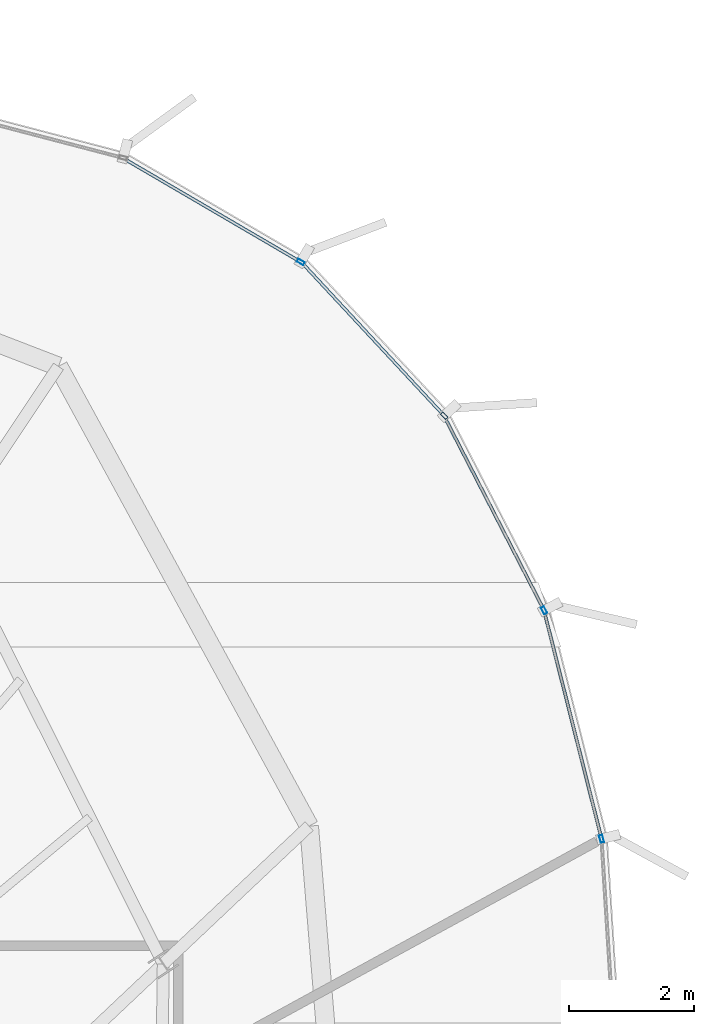
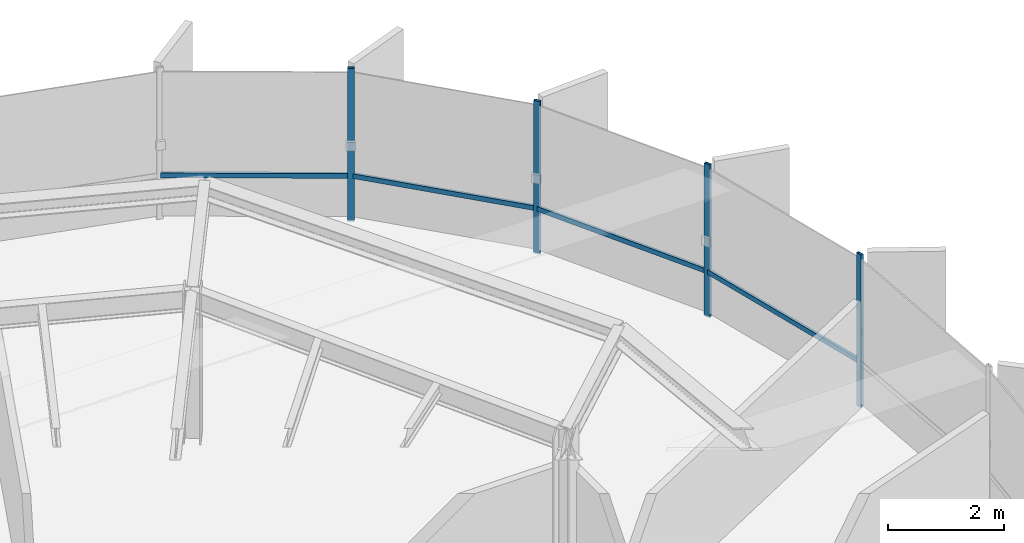
# One storey, part 26 of 36: 8 members, 2 elements without a shape of their own.
"""IFC4 building model written with IfcOpenShell, lengths in metres."""

from ifc_helpers import new_model, si_unit, direction, frame, origin, origin_2d, place, context, subcontext, project, spatial, hollow_rectangle, extrude, source, transform, mapped, material, layer, layer_set, material_profile, profile_set, type_object, element, aggregate, save


model = new_model("IFC4")

# Units and contexts
model_context = context("Model", 3, precision=1e-05, world=origin(), true_north=direction((0.0, 1.0)))
body_context = subcontext(model_context, "Body", "Model", "MODEL_VIEW")
ifc_project = project(units=[si_unit("LENGTHUNIT", "METRE"), si_unit("AREAUNIT", "SQUARE_METRE"), si_unit("VOLUMEUNIT", "CUBIC_METRE"), si_unit("PLANEANGLEUNIT", "RADIAN"), si_unit("MASSUNIT", "GRAM", prefix="KILO"), si_unit("THERMODYNAMICTEMPERATUREUNIT", "KELVIN")], contexts=[model_context])

# Site, building, storey
site_placement = place(None, origin())
site = spatial("IfcSite", under=ifc_project, at=site_placement, CompositionType="ELEMENT")
building_placement = place(site_placement, origin())
building = spatial("IfcBuilding", under=site, at=building_placement, Name="Kethvar Cultural Tower", CompositionType="ELEMENT")
storey_placement = place(building_placement, frame((0.0, 0.0, 242.199951171875)))
storey = spatial("IfcBuildingStorey", under=building, at=storey_placement, Name="L63", CompositionType="ELEMENT", Elevation=242.199951171875)

# Curtain wall, member
ifc_material = material(Name="Aluminium 6063-T6", Category="aluminium")
ifc_layer = layer(ifc_material, 0.179931640625, Name="Aluminium 6063-T6", Category="aluminium")
ifc_layer_set = layer_set([ifc_layer], Name="Aluminium 6063-T6 (180 mm)")
curtain_wall_type = type_object("IfcCurtainWallType", Name="CW-SYS-05-Z56", PredefinedType="NOTDEFINED", material=ifc_layer_set)
curtain_wall_1_placement = place(storey_placement, origin())
curtain_wall_1 = element("IfcCurtainWall", 1, at=curtain_wall_1_placement, inside=storey, type_object=curtain_wall_type, Name="L63 Curtain Wall Run 01", PredefinedType="NOTDEFINED")
ifc_material_profile_1 = material_profile(ifc_material, hollow_rectangle(XDim=0.054931640625, YDim=0.1201171875, WallThickness=0.00390625, at=origin_2d()), Name="Aluminium 6063-T6 — RHS120x55x4")
ifc_profile_set_1 = profile_set([ifc_material_profile_1], Name="Aluminium 6063-T6 — RHS120x55x4")
member_type_1 = type_object("IfcMemberType", Name="CW-SYS-05-Z56-MUL", PredefinedType="MULLION", material=ifc_profile_set_1)
shared_shape_1 = source(origin(), body_context, "Body", "SweptSolid", [
    extrude(hollow_rectangle(XDim=0.054931640625, YDim=0.1201171875, WallThickness=0.00390625, at=origin_2d()), origin(), (0.0, 0.0, 1.0), 3.2099609375),
])
member_1_placement = place(storey_placement, frame((63.519775390625, 48.702880859375, 0.0), z_axis=(0.0, 0.0, 1.0), x_axis=(-0.504633103715, -0.863333904486, 0.0)))
member_1 = element("IfcMember", 2, at=member_1_placement, type_object=member_type_1, Name="CW-L63-R01 Mullion 1", PredefinedType="MULLION", context=body_context, shape_type="MappedRepresentation", body=[
    mapped(shared_shape_1, transform((0.0, 0.0, 0.0), scale=1.0)),
])

# Curtain wall, members
curtain_wall_2_placement = place(storey_placement, origin())
curtain_wall_2 = element("IfcCurtainWall", 3, at=curtain_wall_2_placement, inside=storey, type_object=curtain_wall_type, Name="L63 Curtain Wall Run 06", PredefinedType="NOTDEFINED")
member_2_placement = place(storey_placement, frame((68.319091796875, 39.5009765625, 0.0), z_axis=(0.0, 0.0, 1.0), x_axis=(-0.969646250516, -0.24451206281, 0.0)))
member_2 = element("IfcMember", 4, at=member_2_placement, type_object=member_type_1, Name="CW-L63-R06 Mullion 4", PredefinedType="MULLION", context=body_context, shape_type="MappedRepresentation", body=[
    mapped(shared_shape_1, transform((0.0, 0.0, 0.0), scale=1.0)),
])
member_3_placement = place(storey_placement, frame((67.402587890625, 43.145751953125, 0.0), z_axis=(0.0, 0.0, 1.0), x_axis=(-0.88898517369, -0.457935979106, 0.0)))
member_3 = element("IfcMember", 5, at=member_3_placement, type_object=member_type_1, Name="CW-L63-R06 Mullion 5", PredefinedType="MULLION", context=body_context, shape_type="MappedRepresentation", body=[
    mapped(shared_shape_1, transform((0.0, 0.0, 0.0), scale=1.0)),
])
member_4_placement = place(storey_placement, frame((65.8076171875, 46.250244140625, 0.0), z_axis=(0.0, 0.0, 1.0), x_axis=(-0.732447845083, -0.680823144607, 0.0)))
member_4 = element("IfcMember", 6, at=member_4_placement, type_object=member_type_1, Name="CW-L63-R06 Mullion 6", PredefinedType="MULLION", context=body_context, shape_type="MappedRepresentation", body=[
    mapped(shared_shape_1, transform((0.0, 0.0, 0.0), scale=1.0)),
])

# Member
ifc_material_profile_2 = material_profile(ifc_material, hollow_rectangle(XDim=0.050048828125, YDim=0.10009765625, WallThickness=0.00390625, at=origin_2d()), Name="Aluminium 6063-T6 — RHS100x50x4")
ifc_profile_set_2 = profile_set([ifc_material_profile_2], Name="Aluminium 6063-T6 — RHS100x50x4")
member_type_2 = type_object("IfcMemberType", Name="CW-SYS-05-Z56-TRN", PredefinedType="USERDEFINED", material=ifc_profile_set_2)
shared_shape_2 = source(origin(), body_context, "Body", "SweptSolid", [
    extrude(hollow_rectangle(XDim=0.050048828125, YDim=0.10009765625, WallThickness=0.00390625, at=origin_2d()), origin(), (0.0, 0.0, 1.0), 3.269287109375),
])
member_5_placement = place(storey_placement, frame((63.516357421875, 48.704833984375, 0.949951171875), z_axis=(-0.863353353823, 0.504599828024, 0.0), x_axis=(-0.504599828024, -0.863353353823, 0.0)))
member_5 = element("IfcMember", 7, at=member_5_placement, type_object=member_type_2, Name="CW-L63-R01 Transom 1", ObjectType="TRANSOM", PredefinedType="USERDEFINED", context=body_context, shape_type="MappedRepresentation", body=[
    mapped(shared_shape_2, transform((0.0, 0.0, 0.0), scale=1.0)),
])

aggregate(curtain_wall_1, [member_1, member_5])

shared_shape_3 = source(origin(), body_context, "Body", "SweptSolid", [
    extrude(hollow_rectangle(XDim=0.050048828125, YDim=0.10009765625, WallThickness=0.00390625, at=origin_2d()), origin(), (0.0, 0.0, 1.0), 3.43798828125),
])
member_6_placement = place(storey_placement, frame((67.384521484375, 43.180908203125, 0.949951171875), z_axis=(-0.457946386401, 0.888979812584, 0.0), x_axis=(-0.888979812584, -0.457946386401, 0.0)))
member_6 = element("IfcMember", 8, at=member_6_placement, type_object=member_type_2, Name="CW-L63-R06 Transom 5", ObjectType="TRANSOM", PredefinedType="USERDEFINED", context=body_context, shape_type="MappedRepresentation", body=[
    mapped(shared_shape_3, transform((0.0, 0.0, 0.0), scale=1.0)),
])

shared_shape_4 = source(origin(), body_context, "Body", "SweptSolid", [
    extrude(hollow_rectangle(XDim=0.050048828125, YDim=0.10009765625, WallThickness=0.00390625, at=origin_2d()), origin(), (0.0, 0.0, 1.0), 3.701904296875),
])
member_7_placement = place(storey_placement, frame((68.309326171875, 39.539306640625, 0.949951171875), z_axis=(-0.244474831717, 0.969655638181, 0.0), x_axis=(-0.969655638181, -0.244474831717, 0.0)))
member_7 = element("IfcMember", 9, at=member_7_placement, type_object=member_type_2, Name="CW-L63-R06 Transom 4", ObjectType="TRANSOM", PredefinedType="USERDEFINED", context=body_context, shape_type="MappedRepresentation", body=[
    mapped(shared_shape_4, transform((0.0, 0.0, 0.0), scale=1.0)),
])

shared_shape_5 = source(origin(), body_context, "Body", "SweptSolid", [
    extrude(hollow_rectangle(XDim=0.050048828125, YDim=0.10009765625, WallThickness=0.00390625, at=origin_2d()), origin(), (0.0, 0.0, 1.0), 3.26953125),
])
member_8_placement = place(storey_placement, frame((65.780517578125, 46.279296875, 0.949951171875), z_axis=(-0.680797589781, 0.732471597912, 0.0), x_axis=(-0.732471597912, -0.680797589781, 0.0)))
member_8 = element("IfcMember", 10, at=member_8_placement, type_object=member_type_2, Name="CW-L63-R06 Transom 6", ObjectType="TRANSOM", PredefinedType="USERDEFINED", context=body_context, shape_type="MappedRepresentation", body=[
    mapped(shared_shape_5, transform((0.0, 0.0, 0.0), scale=1.0)),
])

aggregate(curtain_wall_2, [member_2, member_3, member_4, member_7, member_6, member_8])

save(model, "model.ifc")
